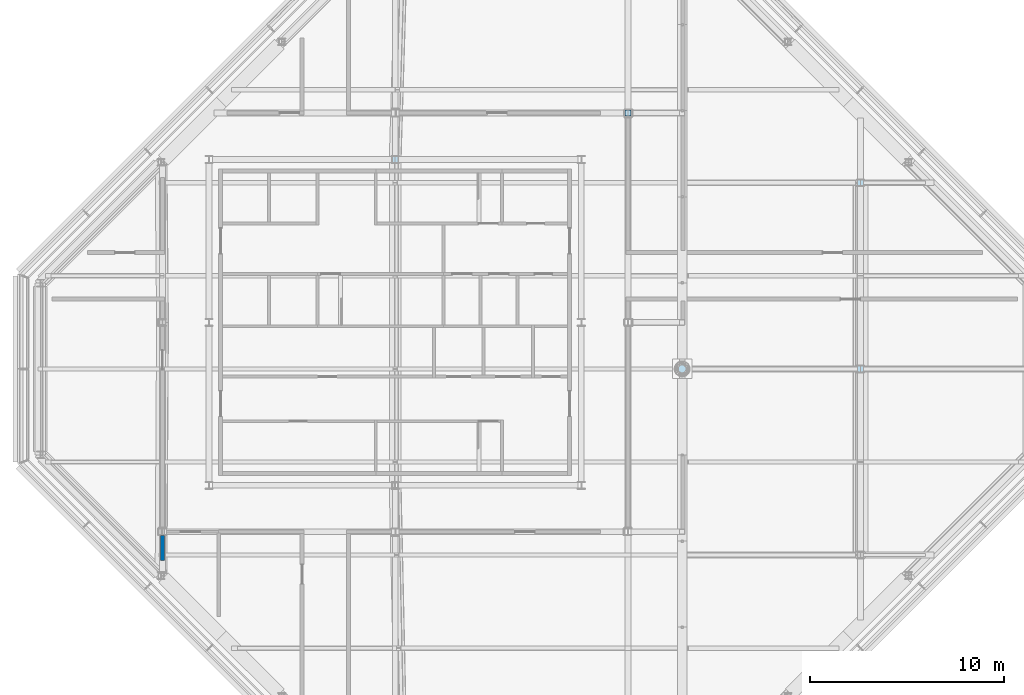
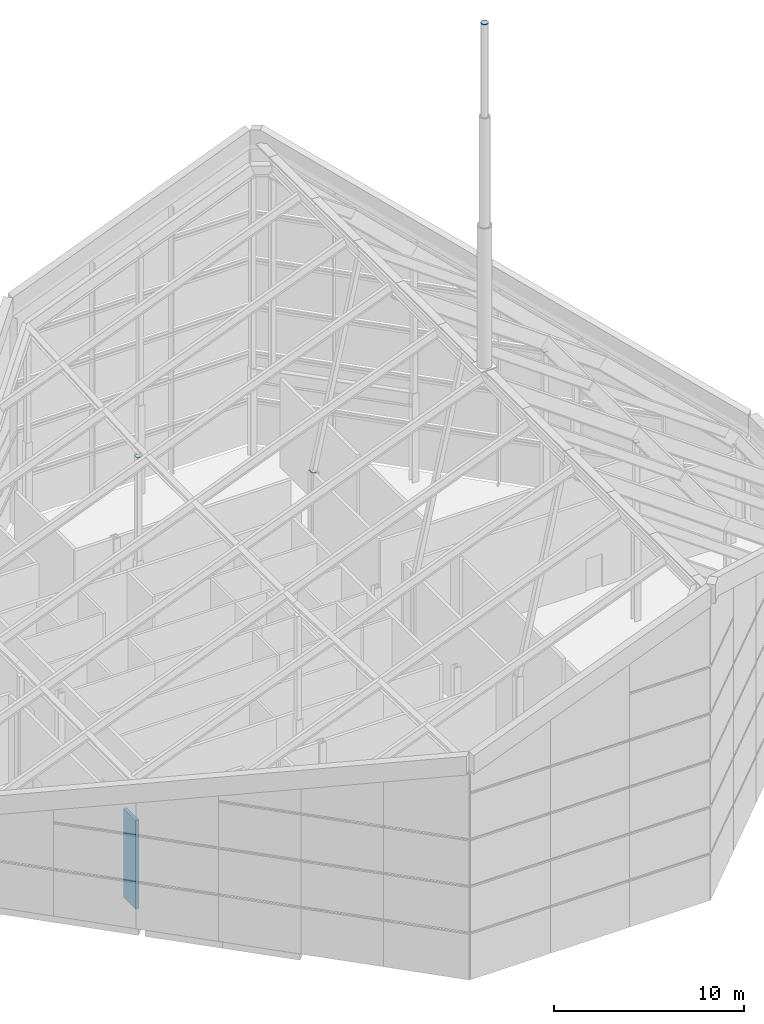
# One storey, part 16 of 21: 5 plates, 1 wall.
"""IFC4 building model written with IfcOpenShell, lengths in metres."""

from ifc_helpers import new_model, si_unit, direction, frame, frame_2d, origin, origin_2d, place, context, subcontext, project, spatial, rectangle, circle, extrude, material, layer, layer_set, material_profile, profile_set, type_object, element, save


model = new_model("IFC4")

# Units and contexts
model_context = context("Model", 3, precision=1e-05, world=origin(), true_north=direction((0.0, 1.0)))
body_context = subcontext(model_context, "Body", "Model", "MODEL_VIEW")
ifc_project = project(units=[si_unit("LENGTHUNIT", "METRE"), si_unit("AREAUNIT", "SQUARE_METRE"), si_unit("VOLUMEUNIT", "CUBIC_METRE"), si_unit("PLANEANGLEUNIT", "RADIAN"), si_unit("MASSUNIT", "GRAM", prefix="KILO")], contexts=[model_context])

# Site, building, storey
site_placement = place(None, origin())
site = spatial("IfcSite", under=ifc_project, at=site_placement, CompositionType="ELEMENT")
building_placement = place(site_placement, origin())
building = spatial("IfcBuilding", under=site, at=building_placement, Name="Cairn Pilgrim Tower", CompositionType="ELEMENT")
storey_placement = place(building_placement, frame((0.0, 0.0, 295.800048828125)))
storey = spatial("IfcBuildingStorey", under=building, at=storey_placement, Name="L76", CompositionType="ELEMENT", Elevation=295.800048828125)

# Plates
ifc_material_1 = material(Name="Structural steel S355J2", Category="steel")
ifc_material_profile_1 = material_profile(ifc_material_1, circle(Radius=0.203125, at=origin_2d()), Name="END PLATE CHS 406x16")
ifc_profile_set_1 = profile_set([ifc_material_profile_1], Name="Structural steel S355J2")
plate_type_1 = type_object("IfcPlateType", Name="END PLATE CHS 406x16", PredefinedType="SHEET", material=ifc_profile_set_1)
plate_placement = place(storey_placement, frame((22.0, 0.0, 41.5302734375), z_axis=(0.0, 0.0, 1.0), x_axis=(1.0, 0.0, 0.0)))
element("IfcPlate", 1, at=plate_placement, inside=storey, type_object=plate_type_1, Name="EP-SPIRE", PredefinedType="SHEET", context=body_context, shape_type="SweptSolid", body=[
    extrude(circle(Radius=0.203125, at=origin_2d()), origin(), (0.0, 0.0, 1.0), 0.0400390625),
])
ifc_material_2 = material(Name="Structural steel S460M", Category="steel")
ifc_material_profile_2 = material_profile(ifc_material_2, rectangle(XDim=0.300048828125, YDim=0.300048828125, at=origin_2d()), Name="END PLATE CROWN POST RHS 300x300x16")
ifc_profile_set_2 = profile_set([ifc_material_profile_2], Name="Structural steel S460M")
plate_type_2 = type_object("IfcPlateType", Name="END PLATE CROWN POST RHS 300x300x16", PredefinedType="SHEET", material=ifc_profile_set_2)
for number, where, z_axis, x_axis, name in (
    (2, (7.199951171875, 10.800048828125, 12.332275390625), (0.0, 0.0, 1.0), (1.0, 0.0, 0.0), "EP-CP1"),
    (3, (31.199951171875, 0.0, 11.416259765625), (0.0, 0.0, 1.0), (1.0, 0.0, 0.0), "EP-CP1"),
    (4, (31.199951171875, 9.60009765625, 11.416259765625), (0.0, 0.0, 1.0), (1.0, 0.0, 0.0), "EP-CP1"),
    (5, (19.20703125, 13.199951171875, 5.731689453125), (-0.213696878805, 0.0, -0.976900017396), (0.0, -1.0, 0.0), "EP-CP1"),
):
    element("IfcPlate", number, at=place(storey_placement, frame(where, z_axis=z_axis, x_axis=x_axis)), inside=storey, type_object=plate_type_2, Name=name, PredefinedType="SHEET", context=body_context, shape_type="SweptSolid", body=[
        extrude(rectangle(XDim=0.300048828125, YDim=0.300048828125, at=origin_2d()), origin(), (0.0, 0.0, 1.0), 0.0400390625),
    ])

# Wall
ifc_material_3 = material(Name="Gypsum partition")
ifc_layer = layer(ifc_material_3, 0.199951171875)
ifc_layer_set = layer_set([ifc_layer], Name="SHAFT WALL 200 GYPSUM EI 120")
wall_type = type_object("IfcWallType", Name="SHAFT WALL 200 GYPSUM EI 120", PredefinedType="PARTITIONING", material=ifc_layer_set)
wall_placement = place(storey_placement, frame((-4.800048828125, -9.87890625, 0.0), z_axis=(0.0, 0.0, 1.0), x_axis=(0.0, 1.0, 0.0)))
element("IfcWall", 6, at=wall_placement, inside=storey, type_object=wall_type, Name="PARTITION W005", PredefinedType="PARTITIONING", context=body_context, shape_type="SweptSolid", body=[
    extrude(rectangle(XDim=1.29150390625, YDim=0.199951171875, at=frame_2d((0.645751953125, 0.0))), origin(), (0.0, 0.0, 1.0), 5.699951171875),
])

save(model, "model.ifc")
